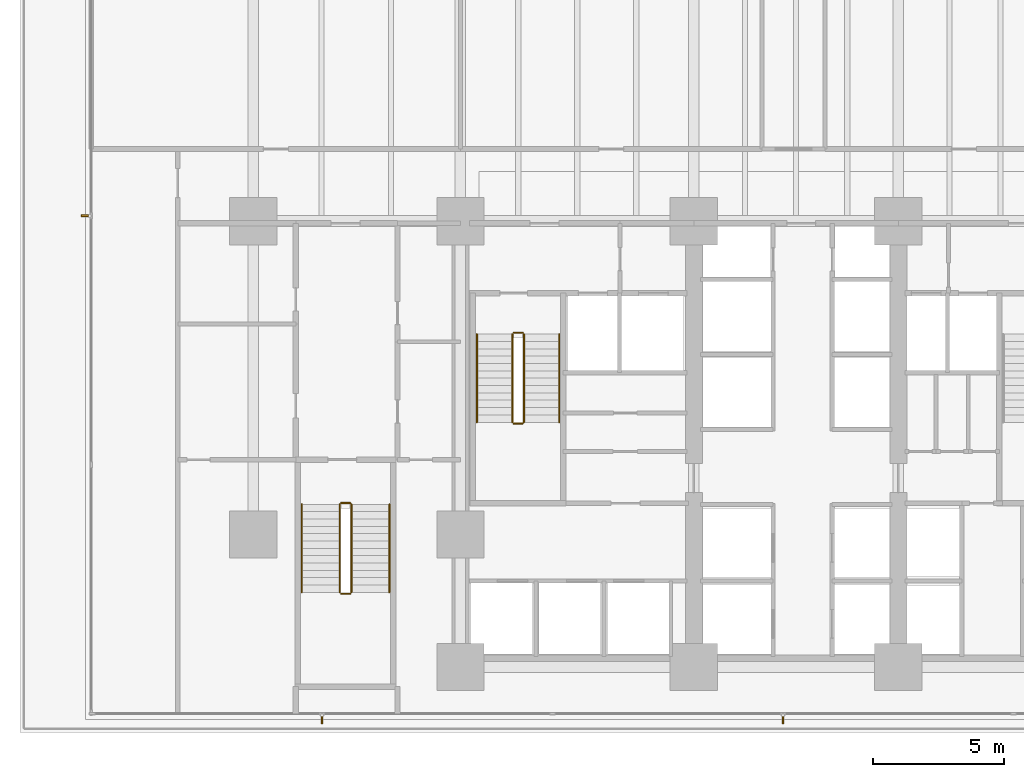
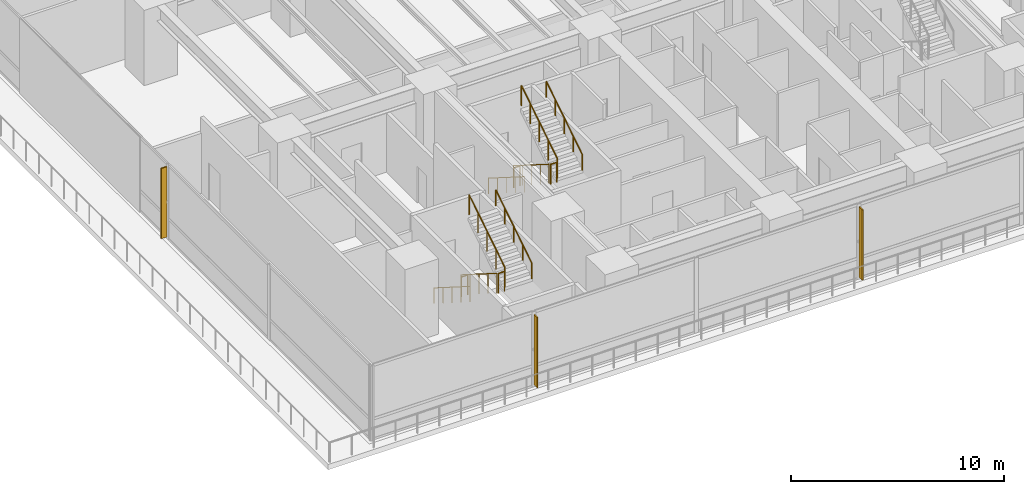
# One storey, part 19 of 26: 12 railings, 3 shading devices.
"""IFC4 building model written with IfcOpenShell, lengths in metres."""

from ifc_helpers import new_model, si_unit, direction, frame, origin, origin_2d, place, context, subcontext, project, spatial, polyline, circle, outline, extrude, material, layer, layer_set, type_object, element, save


model = new_model("IFC4")

# Units and contexts
model_context = context("Model", 3, precision=1e-05, world=origin(), true_north=direction((0.0, 1.0)))
body_context = subcontext(model_context, "Body", "Model", "MODEL_VIEW")
ifc_project = project(units=[si_unit("LENGTHUNIT", "METRE"), si_unit("AREAUNIT", "SQUARE_METRE"), si_unit("VOLUMEUNIT", "CUBIC_METRE"), si_unit("PLANEANGLEUNIT", "RADIAN"), si_unit("MASSUNIT", "GRAM", prefix="KILO")], contexts=[model_context])

# Site, building, storey
site_placement = place(None, origin())
site = spatial("IfcSite", under=ifc_project, at=site_placement, CompositionType="ELEMENT")
building_placement = place(site_placement, origin())
building = spatial("IfcBuilding", under=site, at=building_placement, Name="Qalmaran Belvedere Hotel", CompositionType="ELEMENT")
storey_placement = place(building_placement, frame((0.0, 0.0, 19.199951171875)))
storey = spatial("IfcBuildingStorey", under=building, at=storey_placement, Name="L04", CompositionType="ELEMENT", Elevation=19.199951171875)

# Shading devices
ifc_material_1 = material(Name="Anodised Bronze Aluminium", Category="aluminium")
ifc_layer = layer(ifc_material_1, 0.06494140625, Name="Anodised Bronze Aluminium")
ifc_layer_set = layer_set([ifc_layer], Name="Anodised Bronze Aluminium")
shading_device_type = type_object("IfcShadingDeviceType", Name="FIN-BRNZ-300", PredefinedType="USERDEFINED", material=ifc_layer_set)
shading_device_1_placement = place(storey_placement, frame((0.0, 0.0, 0.16015625)))
element("IfcShadingDevice", 1, at=shading_device_1_placement, inside=storey, type_object=shading_device_type, Name="L04 Bronze Fin 1", ObjectType="FIN", PredefinedType="USERDEFINED", context=body_context, shape_type="SweptSolid", body=[
    extrude(outline(polyline([(14.981689453125, 1.62744140625), (14.981689453125, 1.327392578125), (15.046875, 1.327392578125), (15.046875, 1.62744140625), (14.981689453125, 1.62744140625)])), origin(), (0.0, 0.0, 1.0), 4.019775390625),
])
shading_device_2_placement = place(storey_placement, frame((0.0, 0.0, 0.16015625)))
element("IfcShadingDevice", 2, at=shading_device_2_placement, inside=storey, type_object=shading_device_type, Name="L04 Bronze Fin 3", ObjectType="FIN", PredefinedType="USERDEFINED", context=body_context, shape_type="SweptSolid", body=[
    extrude(outline(polyline([(32.5703125, 1.62744140625), (32.5703125, 1.327392578125), (32.635498046875, 1.327392578125), (32.635498046875, 1.62744140625), (32.5703125, 1.62744140625)])), origin(), (0.0, 0.0, 1.0), 4.019775390625),
])
shading_device_3_placement = place(storey_placement, frame((0.0, 0.0, 0.16015625)))
element("IfcShadingDevice", 3, at=shading_device_3_placement, inside=storey, type_object=shading_device_type, Name="L04 Bronze Fin 3", ObjectType="FIN", PredefinedType="USERDEFINED", context=body_context, shape_type="SweptSolid", body=[
    extrude(outline(polyline([(6.12744140625, 20.736572265625), (5.827392578125, 20.736572265625), (5.827392578125, 20.67138671875), (6.12744140625, 20.67138671875), (6.12744140625, 20.736572265625)])), origin(), (0.0, 0.0, 1.0), 4.019775390625),
])

# Railings
ifc_material_2 = material(Name="Stainless Steel 1.4401", Category="steel")
railing_type_1 = type_object("IfcRailingType", Name="RLG-STAIR-GUARD-1150", PredefinedType="GUARDRAIL", material=ifc_material_2)
railing_1_placement = place(storey_placement, frame((22.280029296875, 16.18994140625, 0.177001953125)))
element("IfcRailing", 4, at=railing_1_placement, inside=storey, type_object=railing_type_1, Name="L04 ST-1 stair guard 1", PredefinedType="GUARDRAIL", context=body_context, shape_type="SweptSolid", body=[
    extrude(circle(Radius=0.02392578125, at=origin_2d()), frame((0.0, 0.0, 1.1259765625), z_axis=(0.0, -0.845372108799, 0.534177870812), x_axis=(1.0, 0.0, 0.0)), (0.0, 0.0, 1.0), 3.974365234375),
    extrude(circle(Radius=0.02099609375, at=origin_2d()), origin(), (0.0, 0.0, 1.0), 1.101806640625),
    extrude(circle(Radius=0.02099609375, at=origin_2d()), frame((0.0, -0.83984375, 0.53076171875)), (0.0, 0.0, 1.0), 1.101806640625),
    extrude(circle(Radius=0.02099609375, at=origin_2d()), frame((0.0, -1.679931640625, 1.0615234375)), (0.0, 0.0, 1.0), 1.101806640625),
    extrude(circle(Radius=0.02099609375, at=origin_2d()), frame((0.0, -2.52001953125, 1.59228515625)), (0.0, 0.0, 1.0), 1.101806640625),
    extrude(circle(Radius=0.02099609375, at=origin_2d()), frame((0.0, -3.35986328125, 2.123046875)), (0.0, 0.0, 1.0), 1.101806640625),
])
railing_2_placement = place(storey_placement, frame((22.330078125, 12.780029296875, 2.300048828125)))
element("IfcRailing", 5, at=railing_2_placement, inside=storey, type_object=railing_type_1, Name="L04 ST-1 stair guard 2", PredefinedType="GUARDRAIL", context=body_context, shape_type="SweptSolid", body=[
    extrude(circle(Radius=0.02392578125, at=origin_2d()), frame((0.0, 0.0, 1.1259765625), z_axis=(1.0, 0.0, 0.0), x_axis=(0.0, 1.0, 0.0)), (0.0, 0.0, 1.0), 0.33984375),
    extrude(circle(Radius=0.02099609375, at=origin_2d()), origin(), (0.0, 0.0, 1.0), 1.101806640625),
    extrude(circle(Radius=0.02099609375, at=origin_2d()), frame((0.33984375, 0.0, 0.0)), (0.0, 0.0, 1.0), 1.101806640625),
])
railing_3_placement = place(storey_placement, frame((22.719970703125, 12.830078125, 2.47705078125)))
element("IfcRailing", 6, at=railing_3_placement, inside=storey, type_object=railing_type_1, Name="L04 ST-1 stair guard 3", PredefinedType="GUARDRAIL", context=body_context, shape_type="SweptSolid", body=[
    extrude(circle(Radius=0.02392578125, at=origin_2d()), frame((0.0, 0.0, 1.1259765625), z_axis=(0.0, 0.845372108799, 0.534177870812), x_axis=(-1.0, 0.0, 0.0)), (0.0, 0.0, 1.0), 3.974365234375),
    extrude(circle(Radius=0.02099609375, at=origin_2d()), origin(), (0.0, 0.0, 1.0), 1.101806640625),
    extrude(circle(Radius=0.02099609375, at=origin_2d()), frame((0.0, 0.83984375, 0.53076171875)), (0.0, 0.0, 1.0), 1.101806640625),
    extrude(circle(Radius=0.02099609375, at=origin_2d()), frame((0.0, 1.679931640625, 1.0615234375)), (0.0, 0.0, 1.0), 1.101806640625),
    extrude(circle(Radius=0.02099609375, at=origin_2d()), frame((0.0, 2.52001953125, 1.59228515625)), (0.0, 0.0, 1.0), 1.101806640625),
    extrude(circle(Radius=0.02099609375, at=origin_2d()), frame((0.0, 3.35986328125, 2.123046875)), (0.0, 0.0, 1.0), 1.101806640625),
])
railing_4_placement = place(storey_placement, frame((22.330078125, 16.239990234375, 0.0)))
element("IfcRailing", 7, at=railing_4_placement, inside=storey, type_object=railing_type_1, Name="L04 ST-1 stair guard 4", PredefinedType="GUARDRAIL", context=body_context, shape_type="SweptSolid", body=[
    extrude(circle(Radius=0.02392578125, at=origin_2d()), frame((0.0, 0.0, 1.1259765625), z_axis=(1.0, 0.0, 0.0), x_axis=(0.0, 1.0, 0.0)), (0.0, 0.0, 1.0), 0.33984375),
    extrude(circle(Radius=0.02099609375, at=origin_2d()), origin(), (0.0, 0.0, 1.0), 1.101806640625),
    extrude(circle(Radius=0.02099609375, at=origin_2d()), frame((0.33984375, 0.0, 0.0)), (0.0, 0.0, 1.0), 1.101806640625),
])
railing_5_placement = place(storey_placement, frame((15.699951171875, 9.699951171875, 0.177001953125)))
element("IfcRailing", 8, at=railing_5_placement, inside=storey, type_object=railing_type_1, Name="L04 ST-P1 stair guard 1", PredefinedType="GUARDRAIL", context=body_context, shape_type="SweptSolid", body=[
    extrude(circle(Radius=0.02392578125, at=origin_2d()), frame((0.0, 0.0, 1.1259765625), z_axis=(0.0, -0.845372108799, 0.534177870812), x_axis=(1.0, 0.0, 0.0)), (0.0, 0.0, 1.0), 3.974365234375),
    extrude(circle(Radius=0.02099609375, at=origin_2d()), origin(), (0.0, 0.0, 1.0), 1.101806640625),
    extrude(circle(Radius=0.02099609375, at=origin_2d()), frame((0.0, -0.83984375, 0.53076171875)), (0.0, 0.0, 1.0), 1.101806640625),
    extrude(circle(Radius=0.02099609375, at=origin_2d()), frame((0.0, -1.679931640625, 1.0615234375)), (0.0, 0.0, 1.0), 1.101806640625),
    extrude(circle(Radius=0.02099609375, at=origin_2d()), frame((0.0, -2.52001953125, 1.59228515625)), (0.0, 0.0, 1.0), 1.101806640625),
    extrude(circle(Radius=0.02099609375, at=origin_2d()), frame((0.0, -3.35986328125, 2.123046875)), (0.0, 0.0, 1.0), 1.101806640625),
])
railing_6_placement = place(storey_placement, frame((15.75, 6.2900390625, 2.300048828125)))
element("IfcRailing", 9, at=railing_6_placement, inside=storey, type_object=railing_type_1, Name="L04 ST-P1 stair guard 2", PredefinedType="GUARDRAIL", context=body_context, shape_type="SweptSolid", body=[
    extrude(circle(Radius=0.02392578125, at=origin_2d()), frame((0.0, 0.0, 1.1259765625), z_axis=(1.0, 0.0, 0.0), x_axis=(0.0, 1.0, 0.0)), (0.0, 0.0, 1.0), 0.340087890625),
    extrude(circle(Radius=0.02099609375, at=origin_2d()), origin(), (0.0, 0.0, 1.0), 1.101806640625),
    extrude(circle(Radius=0.02099609375, at=origin_2d()), frame((0.340087890625, 0.0, 0.0)), (0.0, 0.0, 1.0), 1.101806640625),
])
railing_7_placement = place(storey_placement, frame((16.139892578125, 6.340087890625, 2.47705078125)))
element("IfcRailing", 10, at=railing_7_placement, inside=storey, type_object=railing_type_1, Name="L04 ST-P1 stair guard 3", PredefinedType="GUARDRAIL", context=body_context, shape_type="SweptSolid", body=[
    extrude(circle(Radius=0.02392578125, at=origin_2d()), frame((0.0, 0.0, 1.1259765625), z_axis=(0.0, 0.845372108799, 0.534177870812), x_axis=(-1.0, 0.0, 0.0)), (0.0, 0.0, 1.0), 3.974365234375),
    extrude(circle(Radius=0.02099609375, at=origin_2d()), origin(), (0.0, 0.0, 1.0), 1.101806640625),
    extrude(circle(Radius=0.02099609375, at=origin_2d()), frame((0.0, 0.83984375, 0.53076171875)), (0.0, 0.0, 1.0), 1.101806640625),
    extrude(circle(Radius=0.02099609375, at=origin_2d()), frame((0.0, 1.679931640625, 1.0615234375)), (0.0, 0.0, 1.0), 1.101806640625),
    extrude(circle(Radius=0.02099609375, at=origin_2d()), frame((0.0, 2.52001953125, 1.59228515625)), (0.0, 0.0, 1.0), 1.101806640625),
    extrude(circle(Radius=0.02099609375, at=origin_2d()), frame((0.0, 3.35986328125, 2.123046875)), (0.0, 0.0, 1.0), 1.101806640625),
])
railing_8_placement = place(storey_placement, frame((15.75, 9.75, 0.0)))
element("IfcRailing", 11, at=railing_8_placement, inside=storey, type_object=railing_type_1, Name="L04 ST-P1 stair guard 4", PredefinedType="GUARDRAIL", context=body_context, shape_type="SweptSolid", body=[
    extrude(circle(Radius=0.02392578125, at=origin_2d()), frame((0.0, 0.0, 1.1259765625), z_axis=(1.0, 0.0, 0.0), x_axis=(0.0, 1.0, 0.0)), (0.0, 0.0, 1.0), 0.340087890625),
    extrude(circle(Radius=0.02099609375, at=origin_2d()), origin(), (0.0, 0.0, 1.0), 1.101806640625),
    extrude(circle(Radius=0.02099609375, at=origin_2d()), frame((0.340087890625, 0.0, 0.0)), (0.0, 0.0, 1.0), 1.101806640625),
])
railing_type_2 = type_object("IfcRailingType", Name="RLG-STAIR-HAND-910", PredefinedType="HANDRAIL", material=ifc_material_2)
railing_9_placement = place(storey_placement, frame((20.929931640625, 16.18994140625, 0.177001953125)))
element("IfcRailing", 12, at=railing_9_placement, inside=storey, type_object=railing_type_2, Name="L04 ST-1 stair handrail 1", PredefinedType="HANDRAIL", context=body_context, shape_type="SweptSolid", body=[
    extrude(circle(Radius=0.02392578125, at=origin_2d()), frame((0.0, 0.0, 0.8857421875), z_axis=(0.0, -0.845372108799, 0.534177870812), x_axis=(1.0, 0.0, 0.0)), (0.0, 0.0, 1.0), 3.974365234375),
    extrude(circle(Radius=0.02099609375, at=origin_2d()), origin(), (0.0, 0.0, 1.0), 0.86181640625),
    extrude(circle(Radius=0.02099609375, at=origin_2d()), frame((0.0, -0.83984375, 0.53076171875)), (0.0, 0.0, 1.0), 0.86181640625),
    extrude(circle(Radius=0.02099609375, at=origin_2d()), frame((0.0, -1.679931640625, 1.0615234375)), (0.0, 0.0, 1.0), 0.86181640625),
    extrude(circle(Radius=0.02099609375, at=origin_2d()), frame((0.0, -2.52001953125, 1.59228515625)), (0.0, 0.0, 1.0), 0.86181640625),
    extrude(circle(Radius=0.02099609375, at=origin_2d()), frame((0.0, -3.35986328125, 2.123046875)), (0.0, 0.0, 1.0), 0.86181640625),
])
railing_10_placement = place(storey_placement, frame((24.070068359375, 12.830078125, 2.47705078125)))
element("IfcRailing", 13, at=railing_10_placement, inside=storey, type_object=railing_type_2, Name="L04 ST-1 stair handrail 2", PredefinedType="HANDRAIL", context=body_context, shape_type="SweptSolid", body=[
    extrude(circle(Radius=0.02392578125, at=origin_2d()), frame((0.0, 0.0, 0.8857421875), z_axis=(0.0, 0.845372108799, 0.534177870812), x_axis=(-1.0, 0.0, 0.0)), (0.0, 0.0, 1.0), 3.974365234375),
    extrude(circle(Radius=0.02099609375, at=origin_2d()), origin(), (0.0, 0.0, 1.0), 0.86181640625),
    extrude(circle(Radius=0.02099609375, at=origin_2d()), frame((0.0, 0.83984375, 0.53076171875)), (0.0, 0.0, 1.0), 0.86181640625),
    extrude(circle(Radius=0.02099609375, at=origin_2d()), frame((0.0, 1.679931640625, 1.0615234375)), (0.0, 0.0, 1.0), 0.86181640625),
    extrude(circle(Radius=0.02099609375, at=origin_2d()), frame((0.0, 2.52001953125, 1.59228515625)), (0.0, 0.0, 1.0), 0.86181640625),
    extrude(circle(Radius=0.02099609375, at=origin_2d()), frame((0.0, 3.35986328125, 2.123046875)), (0.0, 0.0, 1.0), 0.86181640625),
])
railing_11_placement = place(storey_placement, frame((14.25, 9.699951171875, 0.177001953125)))
element("IfcRailing", 14, at=railing_11_placement, inside=storey, type_object=railing_type_2, Name="L04 ST-P1 stair handrail 1", PredefinedType="HANDRAIL", context=body_context, shape_type="SweptSolid", body=[
    extrude(circle(Radius=0.02392578125, at=origin_2d()), frame((0.0, 0.0, 0.8857421875), z_axis=(0.0, -0.845372108799, 0.534177870812), x_axis=(1.0, 0.0, 0.0)), (0.0, 0.0, 1.0), 3.974365234375),
    extrude(circle(Radius=0.02099609375, at=origin_2d()), origin(), (0.0, 0.0, 1.0), 0.86181640625),
    extrude(circle(Radius=0.02099609375, at=origin_2d()), frame((0.0, -0.83984375, 0.53076171875)), (0.0, 0.0, 1.0), 0.86181640625),
    extrude(circle(Radius=0.02099609375, at=origin_2d()), frame((0.0, -1.679931640625, 1.0615234375)), (0.0, 0.0, 1.0), 0.86181640625),
    extrude(circle(Radius=0.02099609375, at=origin_2d()), frame((0.0, -2.52001953125, 1.59228515625)), (0.0, 0.0, 1.0), 0.86181640625),
    extrude(circle(Radius=0.02099609375, at=origin_2d()), frame((0.0, -3.35986328125, 2.123046875)), (0.0, 0.0, 1.0), 0.86181640625),
])
railing_12_placement = place(storey_placement, frame((17.590087890625, 6.340087890625, 2.47705078125)))
element("IfcRailing", 15, at=railing_12_placement, inside=storey, type_object=railing_type_2, Name="L04 ST-P1 stair handrail 2", PredefinedType="HANDRAIL", context=body_context, shape_type="SweptSolid", body=[
    extrude(circle(Radius=0.02392578125, at=origin_2d()), frame((0.0, 0.0, 0.8857421875), z_axis=(0.0, 0.845372108799, 0.534177870812), x_axis=(-1.0, 0.0, 0.0)), (0.0, 0.0, 1.0), 3.974365234375),
    extrude(circle(Radius=0.02099609375, at=origin_2d()), origin(), (0.0, 0.0, 1.0), 0.86181640625),
    extrude(circle(Radius=0.02099609375, at=origin_2d()), frame((0.0, 0.83984375, 0.53076171875)), (0.0, 0.0, 1.0), 0.86181640625),
    extrude(circle(Radius=0.02099609375, at=origin_2d()), frame((0.0, 1.679931640625, 1.0615234375)), (0.0, 0.0, 1.0), 0.86181640625),
    extrude(circle(Radius=0.02099609375, at=origin_2d()), frame((0.0, 2.52001953125, 1.59228515625)), (0.0, 0.0, 1.0), 0.86181640625),
    extrude(circle(Radius=0.02099609375, at=origin_2d()), frame((0.0, 3.35986328125, 2.123046875)), (0.0, 0.0, 1.0), 0.86181640625),
])

save(model, "model.ifc")
